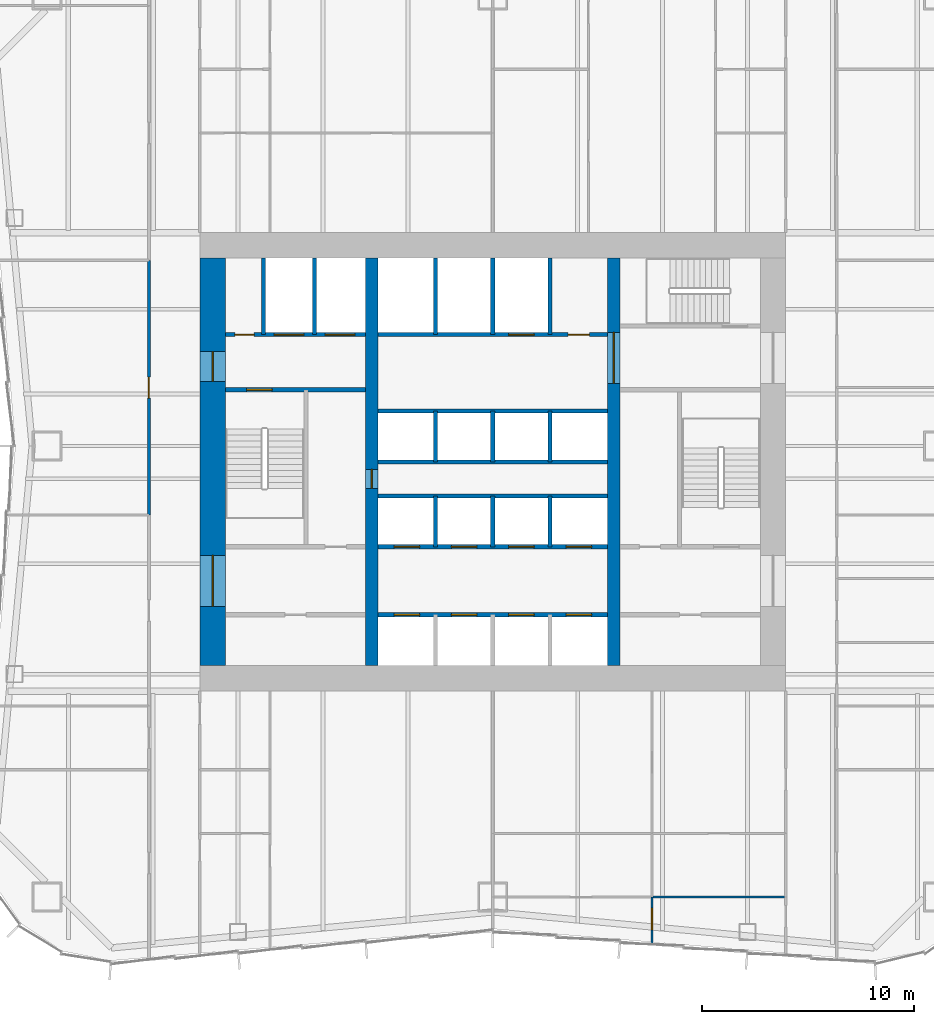
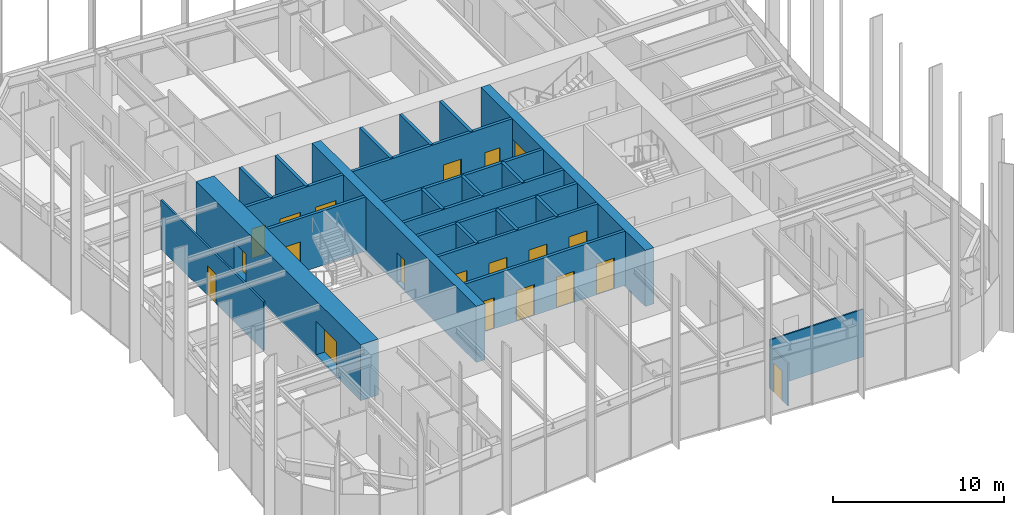
# One storey, part 9 of 13: 25 walls, 20 doors, 20 openings.
"""IFC4 building model written with IfcOpenShell, lengths in metres."""

from ifc_helpers import new_model, si_unit, direction, frame, frame_2d, origin, place, context, subcontext, project, spatial, rectangle, extrude, material, layer, layer_set, type_object, element, fill, save


model = new_model("IFC4")

# Units and contexts
model_context = context("Model", 3, precision=1e-05, world=origin(), true_north=direction((0.0, 1.0)))
body_context = subcontext(model_context, "Body", "Model", "MODEL_VIEW")
ifc_project = project(units=[si_unit("LENGTHUNIT", "METRE"), si_unit("AREAUNIT", "SQUARE_METRE"), si_unit("VOLUMEUNIT", "CUBIC_METRE"), si_unit("PLANEANGLEUNIT", "RADIAN"), si_unit("MASSUNIT", "GRAM", prefix="KILO")], contexts=[model_context])

# Site, building, storey
site_placement = place(None, origin())
site = spatial("IfcSite", under=ifc_project, at=site_placement, CompositionType="ELEMENT")
building_placement = place(site_placement, origin())
building = spatial("IfcBuilding", under=site, at=building_placement, Name="Verdant Reach Tower", CompositionType="ELEMENT")
storey_placement = place(building_placement, frame((0.0, 0.0, 82.0)))
storey = spatial("IfcBuildingStorey", under=building, at=storey_placement, Name="L18", CompositionType="ELEMENT", Elevation=82.0)

# Wall, openings, doors
ifc_material_1 = material(Name="Concrete C40/50", Category="concrete")
ifc_layer_1 = layer(ifc_material_1, 0.199951171875)
ifc_layer_set_1 = layer_set([ifc_layer_1], Name="CO-WALL-SHAFT")
wall_type_1 = type_object("IfcWallType", Name="CO-WALL-SHAFT", PredefinedType="PARTITIONING", material=ifc_layer_set_1)
wall_1_placement = place(storey_placement, frame((-5.39990234375, 20.800048828125, 0.0), z_axis=(0.0, 0.0, 1.0), x_axis=(1.0, 0.0, 0.0)))
wall_1 = element("IfcWall", 1, at=wall_1_placement, inside=storey, type_object=wall_type_1, Name="Lift shaft wall, L18", PredefinedType="PARTITIONING", context=body_context, shape_type="SweptSolid", body=[
    extrude(rectangle(XDim=10.7998046875, YDim=0.199951171875, at=frame_2d((5.39990234375, 0.0))), origin(), (0.0, 0.0, 1.0), 3.8701171875),
])
opening_1_placement = place(wall_1_placement, frame((0.75, 0.0, 0.0)))
opening_1 = element("IfcOpeningElement", 2, at=opening_1_placement, cuts=wall_1, Name="Opening LD-A1", PredefinedType="OPENING", context=body_context, shape_type="SweptSolid", body=[
    extrude(rectangle(XDim=1.199951171875, YDim=2.199951171875, at=frame_2d((0.60009765625, 1.10009765625))), frame((0.0, 0.10986328125, 0.0), z_axis=(0.0, -1.0, 0.0), x_axis=(1.0, 0.0, 0.0)), (0.0, 0.0, 1.0), 0.219970703125),
])
opening_2_placement = place(wall_1_placement, frame((3.449951171875, 0.0, 0.0)))
opening_2 = element("IfcOpeningElement", 3, at=opening_2_placement, cuts=wall_1, Name="Opening LD-A2", PredefinedType="OPENING", context=body_context, shape_type="SweptSolid", body=[
    extrude(rectangle(XDim=1.199951171875, YDim=2.199951171875, at=frame_2d((0.60009765625, 1.10009765625))), frame((0.0, 0.10986328125, 0.0), z_axis=(0.0, -1.0, 0.0), x_axis=(1.0, 0.0, 0.0)), (0.0, 0.0, 1.0), 0.219970703125),
])
opening_3_placement = place(wall_1_placement, frame((6.14990234375, 0.0, 0.0)))
opening_3 = element("IfcOpeningElement", 4, at=opening_3_placement, cuts=wall_1, Name="Opening LD-A3", PredefinedType="OPENING", context=body_context, shape_type="SweptSolid", body=[
    extrude(rectangle(XDim=1.199951171875, YDim=2.199951171875, at=frame_2d((0.60009765625, 1.10009765625))), frame((0.0, 0.10986328125, 0.0), z_axis=(0.0, -1.0, 0.0), x_axis=(1.0, 0.0, 0.0)), (0.0, 0.0, 1.0), 0.219970703125),
])
opening_4_placement = place(wall_1_placement, frame((8.85009765625, 0.0, 0.0)))
opening_4 = element("IfcOpeningElement", 5, at=opening_4_placement, cuts=wall_1, Name="Opening LD-A4", PredefinedType="OPENING", context=body_context, shape_type="SweptSolid", body=[
    extrude(rectangle(XDim=1.199951171875, YDim=2.199951171875, at=frame_2d((0.60009765625, 1.10009765625))), frame((0.0, 0.10986328125, 0.0), z_axis=(0.0, -1.0, 0.0), x_axis=(1.0, 0.0, 0.0)), (0.0, 0.0, 1.0), 0.219970703125),
])
ifc_material_2 = material(Name="Stainless steel", Category="steel")
door_type_1 = type_object("IfcDoorType", Name="CO-DOOR-LANDING", OperationType="SLIDING_TO_LEFT", PredefinedType="DOOR", material=ifc_material_2)
door_1_placement = place(opening_1_placement, origin())
door_1 = element("IfcDoor", 6, at=door_1_placement, inside=storey, type_object=door_type_1, Name="Landing door A1, L18", OperationType="SLIDING_TO_LEFT", OverallHeight=2.199951171875, OverallWidth=1.199951171875, PredefinedType="DOOR", context=body_context, shape_type="SweptSolid", body=[
    extrude(rectangle(XDim=1.199951171875, YDim=2.199951171875, at=frame_2d((0.60009765625, 1.10009765625))), frame((0.0, 0.02490234375, 0.0), z_axis=(0.0, -1.0, 0.0), x_axis=(1.0, 0.0, 0.0)), (0.0, 0.0, 1.0), 0.050048828125),
])
fill(opening_1, door_1)
door_2_placement = place(opening_2_placement, origin())
door_2 = element("IfcDoor", 7, at=door_2_placement, inside=storey, type_object=door_type_1, Name="Landing door A2, L18", OperationType="SLIDING_TO_LEFT", OverallHeight=2.199951171875, OverallWidth=1.199951171875, PredefinedType="DOOR", context=body_context, shape_type="SweptSolid", body=[
    extrude(rectangle(XDim=1.199951171875, YDim=2.199951171875, at=frame_2d((0.60009765625, 1.10009765625))), frame((0.0, 0.02490234375, 0.0), z_axis=(0.0, -1.0, 0.0), x_axis=(1.0, 0.0, 0.0)), (0.0, 0.0, 1.0), 0.050048828125),
])
fill(opening_2, door_2)
door_3_placement = place(opening_3_placement, origin())
door_3 = element("IfcDoor", 8, at=door_3_placement, inside=storey, type_object=door_type_1, Name="Landing door A3, L18", OperationType="SLIDING_TO_LEFT", OverallHeight=2.199951171875, OverallWidth=1.199951171875, PredefinedType="DOOR", context=body_context, shape_type="SweptSolid", body=[
    extrude(rectangle(XDim=1.199951171875, YDim=2.199951171875, at=frame_2d((0.60009765625, 1.10009765625))), frame((0.0, 0.02490234375, 0.0), z_axis=(0.0, -1.0, 0.0), x_axis=(1.0, 0.0, 0.0)), (0.0, 0.0, 1.0), 0.050048828125),
])
fill(opening_3, door_3)
door_4_placement = place(opening_4_placement, origin())
door_4 = element("IfcDoor", 9, at=door_4_placement, inside=storey, type_object=door_type_1, Name="Landing door A4, L18", OperationType="SLIDING_TO_LEFT", OverallHeight=2.199951171875, OverallWidth=1.199951171875, PredefinedType="DOOR", context=body_context, shape_type="SweptSolid", body=[
    extrude(rectangle(XDim=1.199951171875, YDim=2.199951171875, at=frame_2d((0.60009765625, 1.10009765625))), frame((0.0, 0.02490234375, 0.0), z_axis=(0.0, -1.0, 0.0), x_axis=(1.0, 0.0, 0.0)), (0.0, 0.0, 1.0), 0.050048828125),
])
fill(opening_4, door_4)

wall_2_placement = place(storey_placement, frame((-5.39990234375, 24.0, 0.0), z_axis=(0.0, 0.0, 1.0), x_axis=(1.0, 0.0, 0.0)))
wall_2 = element("IfcWall", 10, at=wall_2_placement, inside=storey, type_object=wall_type_1, Name="Lift shaft wall, L18", PredefinedType="PARTITIONING", context=body_context, shape_type="SweptSolid", body=[
    extrude(rectangle(XDim=10.7998046875, YDim=0.199951171875, at=frame_2d((5.39990234375, 0.0))), origin(), (0.0, 0.0, 1.0), 3.8701171875),
])
opening_5_placement = place(wall_2_placement, frame((0.75, 0.0, 0.0)))
opening_5 = element("IfcOpeningElement", 11, at=opening_5_placement, cuts=wall_2, Name="Opening LD-A5", PredefinedType="OPENING", context=body_context, shape_type="SweptSolid", body=[
    extrude(rectangle(XDim=1.199951171875, YDim=2.199951171875, at=frame_2d((0.60009765625, 1.10009765625))), frame((0.0, 0.10986328125, 0.0), z_axis=(0.0, -1.0, 0.0), x_axis=(1.0, 0.0, 0.0)), (0.0, 0.0, 1.0), 0.219970703125),
])
opening_6_placement = place(wall_2_placement, frame((3.449951171875, 0.0, 0.0)))
opening_6 = element("IfcOpeningElement", 12, at=opening_6_placement, cuts=wall_2, Name="Opening LD-A6", PredefinedType="OPENING", context=body_context, shape_type="SweptSolid", body=[
    extrude(rectangle(XDim=1.199951171875, YDim=2.199951171875, at=frame_2d((0.60009765625, 1.10009765625))), frame((0.0, 0.10986328125, 0.0), z_axis=(0.0, -1.0, 0.0), x_axis=(1.0, 0.0, 0.0)), (0.0, 0.0, 1.0), 0.219970703125),
])
opening_7_placement = place(wall_2_placement, frame((6.14990234375, 0.0, 0.0)))
opening_7 = element("IfcOpeningElement", 13, at=opening_7_placement, cuts=wall_2, Name="Opening LD-A7", PredefinedType="OPENING", context=body_context, shape_type="SweptSolid", body=[
    extrude(rectangle(XDim=1.199951171875, YDim=2.199951171875, at=frame_2d((0.60009765625, 1.10009765625))), frame((0.0, 0.10986328125, 0.0), z_axis=(0.0, -1.0, 0.0), x_axis=(1.0, 0.0, 0.0)), (0.0, 0.0, 1.0), 0.219970703125),
])
opening_8_placement = place(wall_2_placement, frame((8.85009765625, 0.0, 0.0)))
opening_8 = element("IfcOpeningElement", 14, at=opening_8_placement, cuts=wall_2, Name="Opening LD-A8", PredefinedType="OPENING", context=body_context, shape_type="SweptSolid", body=[
    extrude(rectangle(XDim=1.199951171875, YDim=2.199951171875, at=frame_2d((0.60009765625, 1.10009765625))), frame((0.0, 0.10986328125, 0.0), z_axis=(0.0, -1.0, 0.0), x_axis=(1.0, 0.0, 0.0)), (0.0, 0.0, 1.0), 0.219970703125),
])
door_5_placement = place(opening_5_placement, origin())
door_5 = element("IfcDoor", 15, at=door_5_placement, inside=storey, type_object=door_type_1, Name="Landing door A5, L18", OperationType="SLIDING_TO_LEFT", OverallHeight=2.199951171875, OverallWidth=1.199951171875, PredefinedType="DOOR", context=body_context, shape_type="SweptSolid", body=[
    extrude(rectangle(XDim=1.199951171875, YDim=2.199951171875, at=frame_2d((0.60009765625, 1.10009765625))), frame((0.0, 0.02490234375, 0.0), z_axis=(0.0, -1.0, 0.0), x_axis=(1.0, 0.0, 0.0)), (0.0, 0.0, 1.0), 0.050048828125),
])
fill(opening_5, door_5)
door_6_placement = place(opening_6_placement, origin())
door_6 = element("IfcDoor", 16, at=door_6_placement, inside=storey, type_object=door_type_1, Name="Landing door A6, L18", OperationType="SLIDING_TO_LEFT", OverallHeight=2.199951171875, OverallWidth=1.199951171875, PredefinedType="DOOR", context=body_context, shape_type="SweptSolid", body=[
    extrude(rectangle(XDim=1.199951171875, YDim=2.199951171875, at=frame_2d((0.60009765625, 1.10009765625))), frame((0.0, 0.02490234375, 0.0), z_axis=(0.0, -1.0, 0.0), x_axis=(1.0, 0.0, 0.0)), (0.0, 0.0, 1.0), 0.050048828125),
])
fill(opening_6, door_6)
door_7_placement = place(opening_7_placement, origin())
door_7 = element("IfcDoor", 17, at=door_7_placement, inside=storey, type_object=door_type_1, Name="Landing door A7, L18", OperationType="SLIDING_TO_LEFT", OverallHeight=2.199951171875, OverallWidth=1.199951171875, PredefinedType="DOOR", context=body_context, shape_type="SweptSolid", body=[
    extrude(rectangle(XDim=1.199951171875, YDim=2.199951171875, at=frame_2d((0.60009765625, 1.10009765625))), frame((0.0, 0.02490234375, 0.0), z_axis=(0.0, -1.0, 0.0), x_axis=(1.0, 0.0, 0.0)), (0.0, 0.0, 1.0), 0.050048828125),
])
fill(opening_7, door_7)
door_8_placement = place(opening_8_placement, origin())
door_8 = element("IfcDoor", 18, at=door_8_placement, inside=storey, type_object=door_type_1, Name="Landing door A8, L18", OperationType="SLIDING_TO_LEFT", OverallHeight=2.199951171875, OverallWidth=1.199951171875, PredefinedType="DOOR", context=body_context, shape_type="SweptSolid", body=[
    extrude(rectangle(XDim=1.199951171875, YDim=2.199951171875, at=frame_2d((0.60009765625, 1.10009765625))), frame((0.0, 0.02490234375, 0.0), z_axis=(0.0, -1.0, 0.0), x_axis=(1.0, 0.0, 0.0)), (0.0, 0.0, 1.0), 0.050048828125),
])
fill(opening_8, door_8)

# Walls
for number, where, z_axis, x_axis, name in (
    (19, (-5.39990234375, 26.39990234375, 0.0), (0.0, 0.0, 1.0), (1.0, 0.0, 0.0), "Lift shaft wall, L18"),
    (20, (-5.39990234375, 28.0, 0.0), (0.0, 0.0, 1.0), (1.0, 0.0, 0.0), "Lift shaft wall, L18"),
    (21, (-5.39990234375, 30.39990234375, 0.0), (0.0, 0.0, 1.0), (1.0, 0.0, 0.0), "Lift shaft wall, L18"),
):
    element("IfcWall", number, at=place(storey_placement, frame(where, z_axis=z_axis, x_axis=x_axis)), inside=storey, type_object=wall_type_1, Name=name, PredefinedType="PARTITIONING", context=body_context, shape_type="SweptSolid", body=[
        extrude(rectangle(XDim=10.7998046875, YDim=0.199951171875, at=frame_2d((5.39990234375, 0.0))), origin(), (0.0, 0.0, 1.0), 3.8701171875),
    ])

# Wall, openings, doors
wall_3_placement = place(storey_placement, frame((-12.60009765625, 34.0, 0.0), z_axis=(0.0, 0.0, 1.0), x_axis=(1.0, 0.0, 0.0)))
wall_3 = element("IfcWall", 22, at=wall_3_placement, inside=storey, type_object=wall_type_1, Name="Lift shaft wall, L18", PredefinedType="PARTITIONING", context=body_context, shape_type="SweptSolid", body=[
    extrude(rectangle(XDim=6.60009765625, YDim=0.199951171875, at=frame_2d((3.300048828125, 0.0))), origin(), (0.0, 0.0, 1.0), 3.8701171875),
])
opening_9_placement = place(wall_3_placement, frame((4.699951171875, 0.0, 0.0)))
opening_9 = element("IfcOpeningElement", 23, at=opening_9_placement, cuts=wall_3, Name="Opening LD-F1", PredefinedType="OPENING", context=body_context, shape_type="SweptSolid", body=[
    extrude(rectangle(XDim=1.39990234375, YDim=2.199951171875, at=frame_2d((0.699951171875, 1.10009765625))), frame((0.0, 0.10986328125, 0.0), z_axis=(0.0, -1.0, 0.0), x_axis=(1.0, 0.0, 0.0)), (0.0, 0.0, 1.0), 0.219970703125),
])
opening_10_placement = place(wall_3_placement, frame((2.300048828125, 0.0, 0.0)))
opening_10 = element("IfcOpeningElement", 24, at=opening_10_placement, cuts=wall_3, Name="Opening LD-F2", PredefinedType="OPENING", context=body_context, shape_type="SweptSolid", body=[
    extrude(rectangle(XDim=1.39990234375, YDim=2.199951171875, at=frame_2d((0.699951171875, 1.10009765625))), frame((0.0, 0.10986328125, 0.0), z_axis=(0.0, -1.0, 0.0), x_axis=(1.0, 0.0, 0.0)), (0.0, 0.0, 1.0), 0.219970703125),
])
opening_11_placement = place(wall_3_placement, frame((0.449951171875, 0.0, 0.0)))
opening_11 = element("IfcOpeningElement", 25, at=opening_11_placement, cuts=wall_3, Name="Opening RD", PredefinedType="OPENING", context=body_context, shape_type="SweptSolid", body=[
    extrude(rectangle(XDim=0.89990234375, YDim=2.10009765625, at=frame_2d((0.449951171875, 1.050048828125))), frame((0.0, 0.10986328125, 0.0), z_axis=(0.0, -1.0, 0.0), x_axis=(1.0, 0.0, 0.0)), (0.0, 0.0, 1.0), 0.219970703125),
])
door_type_2 = type_object("IfcDoorType", Name="CO-DOOR-LANDING-FF", OperationType="SLIDING_TO_LEFT", PredefinedType="DOOR", material=ifc_material_2)
door_9_placement = place(opening_9_placement, origin())
door_9 = element("IfcDoor", 26, at=door_9_placement, inside=storey, type_object=door_type_2, Name="Landing door F1, L18", OperationType="SLIDING_TO_LEFT", OverallHeight=2.199951171875, OverallWidth=1.39990234375, PredefinedType="DOOR", context=body_context, shape_type="SweptSolid", body=[
    extrude(rectangle(XDim=1.39990234375, YDim=2.199951171875, at=frame_2d((0.699951171875, 1.10009765625))), frame((0.0, 0.02490234375, 0.0), z_axis=(0.0, -1.0, 0.0), x_axis=(1.0, 0.0, 0.0)), (0.0, 0.0, 1.0), 0.050048828125),
])
fill(opening_9, door_9)
door_10_placement = place(opening_10_placement, origin())
door_10 = element("IfcDoor", 27, at=door_10_placement, inside=storey, type_object=door_type_2, Name="Landing door F2, L18", OperationType="SLIDING_TO_LEFT", OverallHeight=2.199951171875, OverallWidth=1.39990234375, PredefinedType="DOOR", context=body_context, shape_type="SweptSolid", body=[
    extrude(rectangle(XDim=1.39990234375, YDim=2.199951171875, at=frame_2d((0.699951171875, 1.10009765625))), frame((0.0, 0.02490234375, 0.0), z_axis=(0.0, -1.0, 0.0), x_axis=(1.0, 0.0, 0.0)), (0.0, 0.0, 1.0), 0.050048828125),
])
fill(opening_10, door_10)
ifc_material_3 = material(Name="Steel", Category="steel")
door_type_3 = type_object("IfcDoorType", Name="CO-DOOR-RISER", OperationType="NOTDEFINED", PredefinedType="DOOR", material=ifc_material_3)
door_11_placement = place(opening_11_placement, origin())
door_11 = element("IfcDoor", 28, at=door_11_placement, inside=storey, type_object=door_type_3, Name="Core room door, L18", OperationType="SINGLE_SWING_RIGHT", OverallHeight=2.10009765625, OverallWidth=0.89990234375, PredefinedType="DOOR", context=body_context, shape_type="SweptSolid", body=[
    extrude(rectangle(XDim=0.89990234375, YDim=2.10009765625, at=frame_2d((0.449951171875, 1.050048828125))), frame((0.0, 0.02490234375, 0.0), z_axis=(0.0, -1.0, 0.0), x_axis=(1.0, 0.0, 0.0)), (0.0, 0.0, 1.0), 0.050048828125),
])
fill(opening_11, door_11)

wall_4_placement = place(storey_placement, frame((-5.39990234375, 34.0, 0.0), z_axis=(0.0, 0.0, 1.0), x_axis=(1.0, 0.0, 0.0)))
wall_4 = element("IfcWall", 29, at=wall_4_placement, inside=storey, type_object=wall_type_1, Name="Lift shaft wall, L18", PredefinedType="PARTITIONING", context=body_context, shape_type="SweptSolid", body=[
    extrude(rectangle(XDim=10.7998046875, YDim=0.199951171875, at=frame_2d((5.39990234375, 0.0))), origin(), (0.0, 0.0, 1.0), 3.8701171875),
])
opening_12_placement = place(wall_4_placement, frame((6.14990234375, 0.0, 0.0)))
opening_12 = element("IfcOpeningElement", 30, at=opening_12_placement, cuts=wall_4, Name="Opening LD-SL1", PredefinedType="OPENING", context=body_context, shape_type="SweptSolid", body=[
    extrude(rectangle(XDim=1.199951171875, YDim=2.199951171875, at=frame_2d((0.60009765625, 1.10009765625))), frame((0.0, 0.10986328125, 0.0), z_axis=(0.0, -1.0, 0.0), x_axis=(1.0, 0.0, 0.0)), (0.0, 0.0, 1.0), 0.219970703125),
])
opening_13_placement = place(wall_4_placement, frame((8.949951171875, 0.0, 0.0)))
opening_13 = element("IfcOpeningElement", 31, at=opening_13_placement, cuts=wall_4, Name="Opening CD", PredefinedType="OPENING", context=body_context, shape_type="SweptSolid", body=[
    extrude(rectangle(XDim=1.0, YDim=2.10009765625, at=frame_2d((0.5, 1.050048828125))), frame((0.0, 0.10986328125, 0.0), z_axis=(0.0, -1.0, 0.0), x_axis=(1.0, 0.0, 0.0)), (0.0, 0.0, 1.0), 0.219970703125),
])
door_12_placement = place(opening_12_placement, origin())
door_12 = element("IfcDoor", 32, at=door_12_placement, inside=storey, type_object=door_type_1, Name="Landing door SL1, L18", OperationType="SLIDING_TO_LEFT", OverallHeight=2.199951171875, OverallWidth=1.199951171875, PredefinedType="DOOR", context=body_context, shape_type="SweptSolid", body=[
    extrude(rectangle(XDim=1.199951171875, YDim=2.199951171875, at=frame_2d((0.60009765625, 1.10009765625))), frame((0.0, 0.02490234375, 0.0), z_axis=(0.0, -1.0, 0.0), x_axis=(1.0, 0.0, 0.0)), (0.0, 0.0, 1.0), 0.050048828125),
])
fill(opening_12, door_12)
ifc_material_4 = material(Name="Timber", Category="wood")
door_type_4 = type_object("IfcDoorType", Name="CO-DOOR-ROOM", OperationType="NOTDEFINED", PredefinedType="DOOR", material=ifc_material_4)
door_13_placement = place(opening_13_placement, origin())
door_13 = element("IfcDoor", 33, at=door_13_placement, inside=storey, type_object=door_type_4, Name="Core room door, L18", OperationType="SINGLE_SWING_LEFT", OverallHeight=2.10009765625, OverallWidth=1.0, PredefinedType="DOOR", context=body_context, shape_type="SweptSolid", body=[
    extrude(rectangle(XDim=1.0, YDim=2.10009765625, at=frame_2d((0.5, 1.050048828125))), frame((0.0, 0.02490234375, 0.0), z_axis=(0.0, -1.0, 0.0), x_axis=(1.0, 0.0, 0.0)), (0.0, 0.0, 1.0), 0.050048828125),
])
fill(opening_13, door_13)

# Walls
for number, where, z_axis, x_axis, name in (
    (34, (-10.800048828125, 34.0, 0.0), (0.0, 0.0, 1.0), (0.0, 1.0, 0.0), "Lift shaft wall, L18"),
    (35, (-8.39990234375, 34.0, 0.0), (0.0, 0.0, 1.0), (0.0, 1.0, 0.0), "Lift shaft wall, L18"),
):
    element("IfcWall", number, at=place(storey_placement, frame(where, z_axis=z_axis, x_axis=x_axis)), inside=storey, type_object=wall_type_1, Name=name, PredefinedType="PARTITIONING", context=body_context, shape_type="SweptSolid", body=[
        extrude(rectangle(XDim=3.60009765625, YDim=0.199951171875, at=frame_2d((1.800048828125, 0.0))), origin(), (0.0, 0.0, 1.0), 3.8701171875),
    ])
for number, where, z_axis, x_axis, name in (
    (36, (-2.699951171875, 24.0, 0.0), (0.0, 0.0, 1.0), (0.0, 1.0, 0.0), "Lift shaft wall, L18"),
    (37, (-2.699951171875, 28.0, 0.0), (0.0, 0.0, 1.0), (0.0, 1.0, 0.0), "Lift shaft wall, L18"),
):
    element("IfcWall", number, at=place(storey_placement, frame(where, z_axis=z_axis, x_axis=x_axis)), inside=storey, type_object=wall_type_1, Name=name, PredefinedType="PARTITIONING", context=body_context, shape_type="SweptSolid", body=[
        extrude(rectangle(XDim=2.39990234375, YDim=0.199951171875, at=frame_2d((1.199951171875, 0.0))), origin(), (0.0, 0.0, 1.0), 3.8701171875),
    ])
wall_5_placement = place(storey_placement, frame((-2.699951171875, 34.0, 0.0), z_axis=(0.0, 0.0, 1.0), x_axis=(0.0, 1.0, 0.0)))
element("IfcWall", 38, at=wall_5_placement, inside=storey, type_object=wall_type_1, Name="Lift shaft wall, L18", PredefinedType="PARTITIONING", context=body_context, shape_type="SweptSolid", body=[
    extrude(rectangle(XDim=3.60009765625, YDim=0.199951171875, at=frame_2d((1.800048828125, 0.0))), origin(), (0.0, 0.0, 1.0), 3.8701171875),
])
for number, where, z_axis, x_axis, name in (
    (39, (0.0, 24.0, 0.0), (0.0, 0.0, 1.0), (0.0, 1.0, 0.0), "Lift shaft wall, L18"),
    (40, (0.0, 28.0, 0.0), (0.0, 0.0, 1.0), (0.0, 1.0, 0.0), "Lift shaft wall, L18"),
):
    element("IfcWall", number, at=place(storey_placement, frame(where, z_axis=z_axis, x_axis=x_axis)), inside=storey, type_object=wall_type_1, Name=name, PredefinedType="PARTITIONING", context=body_context, shape_type="SweptSolid", body=[
        extrude(rectangle(XDim=2.39990234375, YDim=0.199951171875, at=frame_2d((1.199951171875, 0.0))), origin(), (0.0, 0.0, 1.0), 3.8701171875),
    ])
wall_6_placement = place(storey_placement, frame((0.0, 34.0, 0.0), z_axis=(0.0, 0.0, 1.0), x_axis=(0.0, 1.0, 0.0)))
element("IfcWall", 41, at=wall_6_placement, inside=storey, type_object=wall_type_1, Name="Lift shaft wall, L18", PredefinedType="PARTITIONING", context=body_context, shape_type="SweptSolid", body=[
    extrude(rectangle(XDim=3.60009765625, YDim=0.199951171875, at=frame_2d((1.800048828125, 0.0))), origin(), (0.0, 0.0, 1.0), 3.8701171875),
])
for number, where, z_axis, x_axis, name in (
    (42, (2.699951171875, 24.0, 0.0), (0.0, 0.0, 1.0), (0.0, 1.0, 0.0), "Lift shaft wall, L18"),
    (43, (2.699951171875, 28.0, 0.0), (0.0, 0.0, 1.0), (0.0, 1.0, 0.0), "Lift shaft wall, L18"),
):
    element("IfcWall", number, at=place(storey_placement, frame(where, z_axis=z_axis, x_axis=x_axis)), inside=storey, type_object=wall_type_1, Name=name, PredefinedType="PARTITIONING", context=body_context, shape_type="SweptSolid", body=[
        extrude(rectangle(XDim=2.39990234375, YDim=0.199951171875, at=frame_2d((1.199951171875, 0.0))), origin(), (0.0, 0.0, 1.0), 3.8701171875),
    ])
wall_7_placement = place(storey_placement, frame((2.699951171875, 34.0, 0.0), z_axis=(0.0, 0.0, 1.0), x_axis=(0.0, 1.0, 0.0)))
element("IfcWall", 44, at=wall_7_placement, inside=storey, type_object=wall_type_1, Name="Lift shaft wall, L18", PredefinedType="PARTITIONING", context=body_context, shape_type="SweptSolid", body=[
    extrude(rectangle(XDim=3.60009765625, YDim=0.199951171875, at=frame_2d((1.800048828125, 0.0))), origin(), (0.0, 0.0, 1.0), 3.8701171875),
])

# Wall, opening, door
ifc_layer_2 = layer(ifc_material_1, 0.199951171875)
ifc_layer_set_2 = layer_set([ifc_layer_2], Name="CO-WALL-STAIR")
wall_type_2 = type_object("IfcWallType", Name="CO-WALL-STAIR", PredefinedType="PARTITIONING", material=ifc_layer_set_2)
wall_8_placement = place(storey_placement, frame((-12.60009765625, 31.39990234375, 0.0), z_axis=(0.0, 0.0, 1.0), x_axis=(1.0, 0.0, 0.0)))
wall_8 = element("IfcWall", 45, at=wall_8_placement, inside=storey, type_object=wall_type_2, Name="Stair enclosure wall, L18", PredefinedType="PARTITIONING", context=body_context, shape_type="SweptSolid", body=[
    extrude(rectangle(XDim=6.60009765625, YDim=0.199951171875, at=frame_2d((3.300048828125, 0.0))), origin(), (0.0, 0.0, 1.0), 3.8701171875),
])
opening_14_placement = place(wall_8_placement, frame((1.0, 0.0, 0.0)))
opening_14 = element("IfcOpeningElement", 46, at=opening_14_placement, cuts=wall_8, Name="Opening SD", PredefinedType="OPENING", context=body_context, shape_type="SweptSolid", body=[
    extrude(rectangle(XDim=1.199951171875, YDim=2.199951171875, at=frame_2d((0.60009765625, 1.10009765625))), frame((0.0, 0.10986328125, 0.0), z_axis=(0.0, -1.0, 0.0), x_axis=(1.0, 0.0, 0.0)), (0.0, 0.0, 1.0), 0.219970703125),
])
door_type_5 = type_object("IfcDoorType", Name="CO-DOOR-STAIR", OperationType="NOTDEFINED", PredefinedType="DOOR", material=ifc_material_3)
door_14_placement = place(opening_14_placement, origin())
door_14 = element("IfcDoor", 47, at=door_14_placement, inside=storey, type_object=door_type_5, Name="Stair door, L18", OperationType="SINGLE_SWING_RIGHT", OverallHeight=2.199951171875, OverallWidth=1.199951171875, PredefinedType="DOOR", context=body_context, shape_type="SweptSolid", body=[
    extrude(rectangle(XDim=1.199951171875, YDim=2.199951171875, at=frame_2d((0.60009765625, 1.10009765625))), frame((0.0, 0.02490234375, 0.0), z_axis=(0.0, -1.0, 0.0), x_axis=(1.0, 0.0, 0.0)), (0.0, 0.0, 1.0), 0.050048828125),
])
fill(opening_14, door_14)

# Wall
ifc_material_5 = material(Name="Gypsum board on steel studs", Category="steel")
ifc_layer_3 = layer(ifc_material_5, 0.10009765625)
ifc_layer_set_3 = layer_set([ifc_layer_3], Name="FL-W1 Partition 100")
wall_type_3 = type_object("IfcWallType", Name="FL-W1 Partition 100", PredefinedType="PARTITIONING", material=ifc_layer_set_3)
wall_9_placement = place(storey_placement, frame((13.800048828125, 7.5, 0.0), z_axis=(0.0, 0.0, 1.0), x_axis=(-1.0, 0.0, 0.0)))
element("IfcWall", 48, at=wall_9_placement, inside=storey, type_object=wall_type_3, Name="Partition 18.49", PredefinedType="PARTITIONING", context=body_context, shape_type="SweptSolid", body=[
    extrude(rectangle(XDim=6.300048828125, YDim=0.10009765625, at=frame_2d((3.14990234375, 0.0))), origin(), (0.0, 0.0, 1.0), 3.389892578125),
])

# Wall, opening, door
wall_10_placement = place(storey_placement, frame((7.5, 5.294921875, 0.0), z_axis=(0.0, 0.0, 1.0), x_axis=(0.0, 1.0, 0.0)))
wall_10 = element("IfcWall", 49, at=wall_10_placement, inside=storey, type_object=wall_type_3, Name="Partition 18.50", PredefinedType="PARTITIONING", context=body_context, shape_type="SweptSolid", body=[
    extrude(rectangle(XDim=2.205078125, YDim=0.10009765625, at=frame_2d((1.1025390625, 0.0))), origin(), (0.0, 0.0, 1.0), 3.0400390625),
])
opening_15_placement = place(wall_10_placement, frame((0.66748046875, 0.0, 0.0)))
opening_15 = element("IfcOpeningElement", 50, at=opening_15_placement, cuts=wall_10, Name="Opening D3", PredefinedType="OPENING", context=body_context, shape_type="SweptSolid", body=[
    extrude(rectangle(XDim=1.0, YDim=2.10009765625, at=frame_2d((0.5, 1.050048828125))), frame((0.0, 0.06005859375, 0.0), z_axis=(0.0, -1.0, 0.0), x_axis=(1.0, 0.0, 0.0)), (0.0, 0.0, 1.0), 0.1201171875),
])
ifc_material_6 = material(Name="Painted timber door leaf", Category="wood")
door_type_6 = type_object("IfcDoorType", Name="FL-D3 Door 1000x2100", OperationType="NOTDEFINED", PredefinedType="DOOR", material=ifc_material_6)
door_15_placement = place(opening_15_placement, origin())
door_15 = element("IfcDoor", 51, at=door_15_placement, inside=storey, type_object=door_type_6, Name="Door 18-025", OperationType="SINGLE_SWING_RIGHT", OverallHeight=2.10009765625, OverallWidth=1.0, PredefinedType="DOOR", context=body_context, shape_type="SweptSolid", body=[
    extrude(rectangle(XDim=1.0, YDim=2.10009765625, at=frame_2d((0.5, 1.050048828125))), frame((0.0, 0.02490234375, 0.0), z_axis=(0.0, -1.0, 0.0), x_axis=(1.0, 0.0, 0.0)), (0.0, 0.0, 1.0), 0.050048828125),
])
fill(opening_15, door_15)

ifc_material_7 = material(Name="Gypsum board on steel studs, fire rated", Category="steel")
ifc_layer_4 = layer(ifc_material_7, 0.125)
ifc_layer_set_4 = layer_set([ifc_layer_4], Name="FL-W2 Corridor wall 125")
wall_type_4 = type_object("IfcWallType", Name="FL-W2 Corridor wall 125", PredefinedType="PARTITIONING", material=ifc_layer_set_4)
wall_11_placement = place(storey_placement, frame((-16.199951171875, 25.5, 0.0), z_axis=(0.0, 0.0, 1.0), x_axis=(0.0, 1.0, 0.0)))
wall_11 = element("IfcWall", 52, at=wall_11_placement, inside=storey, type_object=wall_type_4, Name="Partition 18.04", PredefinedType="PARTITIONING", context=body_context, shape_type="SweptSolid", body=[
    extrude(rectangle(XDim=12.0, YDim=0.125, at=frame_2d((6.0, 0.0))), origin(), (0.0, 0.0, 1.0), 3.47998046875),
])
opening_16_placement = place(wall_11_placement, frame((5.5, 0.0, 0.0)))
opening_16 = element("IfcOpeningElement", 53, at=opening_16_placement, cuts=wall_11, Name="Opening D2", PredefinedType="OPENING", context=body_context, shape_type="SweptSolid", body=[
    extrude(rectangle(XDim=1.0, YDim=2.10009765625, at=frame_2d((0.5, 1.050048828125))), frame((0.0, 0.072509765625, 0.0), z_axis=(0.0, -1.0, 0.0), x_axis=(1.0, 0.0, 0.0)), (0.0, 0.0, 1.0), 0.14501953125),
])
ifc_material_8 = material(Name="Timber door leaf, fire rated", Category="wood")
door_type_7 = type_object("IfcDoorType", Name="FL-D2 Entrance door 1000x2100 FD30", OperationType="NOTDEFINED", PredefinedType="DOOR", material=ifc_material_8)
door_16_placement = place(opening_16_placement, origin())
door_16 = element("IfcDoor", 54, at=door_16_placement, inside=storey, type_object=door_type_7, Name="Door 18-004", OperationType="SINGLE_SWING_RIGHT", OverallHeight=2.10009765625, OverallWidth=1.0, PredefinedType="DOOR", context=body_context, shape_type="SweptSolid", body=[
    extrude(rectangle(XDim=1.0, YDim=2.10009765625, at=frame_2d((0.5, 1.050048828125))), frame((0.0, 0.02490234375, 0.0), z_axis=(0.0, -1.0, 0.0), x_axis=(1.0, 0.0, 0.0)), (0.0, 0.0, 1.0), 0.050048828125),
])
fill(opening_16, door_16)

# Wall, openings, doors
ifc_material_9 = material(Name="Concrete C70/85", Category="concrete")
ifc_layer_5 = layer(ifc_material_9, 1.199951171875)
ifc_layer_set_5 = layer_set([ifc_layer_5], Name="ST-CORE-WALL-1200")
wall_type_5 = type_object("IfcWallType", Name="ST-CORE-WALL-1200", PredefinedType="SHEAR", material=ifc_layer_set_5)
wall_12_placement = place(storey_placement, frame((-13.199951171875, 18.39990234375, -0.1298828125), z_axis=(0.0, 0.0, 1.0), x_axis=(0.0, 1.0, 0.0)))
wall_12 = element("IfcWall", 55, at=wall_12_placement, inside=storey, type_object=wall_type_5, Name="Core wall W, L18", PredefinedType="SHEAR", context=body_context, shape_type="SweptSolid", body=[
    extrude(rectangle(XDim=19.2001953125, YDim=1.199951171875, at=frame_2d((9.60009765625, 0.0))), origin(), (0.0, 0.0, 1.0), 4.0),
])
opening_17_placement = place(wall_12_placement, frame((2.800048828125, 0.0, 0.1298828125)))
opening_17 = element("IfcOpeningElement", 56, at=opening_17_placement, cuts=wall_12, Name="Opening LB", PredefinedType="OPENING", context=body_context, shape_type="SweptSolid", body=[
    extrude(rectangle(XDim=2.39990234375, YDim=2.39990234375, at=frame_2d((1.199951171875, 1.199951171875))), frame((0.0, 0.60986328125, 0.0), z_axis=(0.0, -1.0, 0.0), x_axis=(1.0, 0.0, 0.0)), (0.0, 0.0, 1.0), 1.219970703125),
])
opening_18_placement = place(wall_12_placement, frame((13.39990234375, 0.0, 0.1298828125)))
opening_18 = element("IfcOpeningElement", 57, at=opening_18_placement, cuts=wall_12, Name="Opening FL", PredefinedType="OPENING", context=body_context, shape_type="SweptSolid", body=[
    extrude(rectangle(XDim=1.39990234375, YDim=2.199951171875, at=frame_2d((0.699951171875, 1.10009765625))), frame((0.0, 0.60986328125, 0.0), z_axis=(0.0, -1.0, 0.0), x_axis=(1.0, 0.0, 0.0)), (0.0, 0.0, 1.0), 1.219970703125),
])
door_type_8 = type_object("IfcDoorType", Name="CO-DOOR-FFL", OperationType="NOTDEFINED", PredefinedType="DOOR", material=ifc_material_3)
door_17_placement = place(opening_18_placement, origin())
door_17 = element("IfcDoor", 58, at=door_17_placement, inside=storey, type_object=door_type_8, Name="Core entrance door, L18", OperationType="SINGLE_SWING_RIGHT", OverallHeight=2.199951171875, OverallWidth=1.39990234375, PredefinedType="DOOR", context=body_context, shape_type="SweptSolid", body=[
    extrude(rectangle(XDim=1.39990234375, YDim=2.199951171875, at=frame_2d((0.699951171875, 1.10009765625))), frame((0.0, 0.02490234375, 0.0), z_axis=(0.0, -1.0, 0.0), x_axis=(1.0, 0.0, 0.0)), (0.0, 0.0, 1.0), 0.050048828125),
])
fill(opening_18, door_17)
ifc_material_10 = material(Name="Glass and steel", Category="steel")
door_type_9 = type_object("IfcDoorType", Name="CO-DOOR-LOBBY", OperationType="DOUBLE_DOOR_SINGLE_SWING", PredefinedType="DOOR", material=ifc_material_10)
door_18_placement = place(opening_17_placement, origin())
door_18 = element("IfcDoor", 59, at=door_18_placement, inside=storey, type_object=door_type_9, Name="Core entrance door, L18", OperationType="DOUBLE_DOOR_SINGLE_SWING", OverallHeight=2.39990234375, OverallWidth=2.39990234375, PredefinedType="DOOR", context=body_context, shape_type="SweptSolid", body=[
    extrude(rectangle(XDim=2.39990234375, YDim=2.39990234375, at=frame_2d((1.199951171875, 1.199951171875))), frame((0.0, 0.02490234375, 0.0), z_axis=(0.0, -1.0, 0.0), x_axis=(1.0, 0.0, 0.0)), (0.0, 0.0, 1.0), 0.050048828125),
])
fill(opening_17, door_18)

# Wall, opening, door
ifc_layer_6 = layer(ifc_material_9, 0.60009765625)
ifc_layer_set_6 = layer_set([ifc_layer_6], Name="ST-CORE-WALL-600")
wall_type_6 = type_object("IfcWallType", Name="ST-CORE-WALL-600", PredefinedType="SHEAR", material=ifc_layer_set_6)
wall_13_placement = place(storey_placement, frame((-5.699951171875, 18.39990234375, -0.1298828125), z_axis=(0.0, 0.0, 1.0), x_axis=(0.0, 1.0, 0.0)))
wall_13 = element("IfcWall", 60, at=wall_13_placement, inside=storey, type_object=wall_type_6, Name="Core wall XW, L18", PredefinedType="SHEAR", context=body_context, shape_type="SweptSolid", body=[
    extrude(rectangle(XDim=19.2001953125, YDim=0.60009765625, at=frame_2d((9.60009765625, 0.0))), origin(), (0.0, 0.0, 1.0), 4.0),
])
opening_19_placement = place(wall_13_placement, frame((8.35009765625, 0.0, 0.1298828125)))
opening_19 = element("IfcOpeningElement", 61, at=opening_19_placement, cuts=wall_13, Name="Opening RD", PredefinedType="OPENING", context=body_context, shape_type="SweptSolid", body=[
    extrude(rectangle(XDim=0.89990234375, YDim=2.10009765625, at=frame_2d((0.449951171875, 1.050048828125))), frame((0.0, 0.31005859375, 0.0), z_axis=(0.0, -1.0, 0.0), x_axis=(1.0, 0.0, 0.0)), (0.0, 0.0, 1.0), 0.6201171875),
])
door_19_placement = place(opening_19_placement, origin())
door_19 = element("IfcDoor", 62, at=door_19_placement, inside=storey, type_object=door_type_3, Name="Riser door, L18", OperationType="SINGLE_SWING_RIGHT", OverallHeight=2.10009765625, OverallWidth=0.89990234375, PredefinedType="DOOR", context=body_context, shape_type="SweptSolid", body=[
    extrude(rectangle(XDim=0.89990234375, YDim=2.10009765625, at=frame_2d((0.449951171875, 1.050048828125))), frame((0.0, 0.02490234375, 0.0), z_axis=(0.0, -1.0, 0.0), x_axis=(1.0, 0.0, 0.0)), (0.0, 0.0, 1.0), 0.050048828125),
])
fill(opening_19, door_19)

wall_14_placement = place(storey_placement, frame((5.699951171875, 18.39990234375, -0.1298828125), z_axis=(0.0, 0.0, 1.0), x_axis=(0.0, 1.0, 0.0)))
wall_14 = element("IfcWall", 63, at=wall_14_placement, inside=storey, type_object=wall_type_6, Name="Core wall XE, L18", PredefinedType="SHEAR", context=body_context, shape_type="SweptSolid", body=[
    extrude(rectangle(XDim=19.2001953125, YDim=0.60009765625, at=frame_2d((9.60009765625, 0.0))), origin(), (0.0, 0.0, 1.0), 4.0),
])
opening_20_placement = place(wall_14_placement, frame((13.300048828125, 0.0, 0.1298828125)))
opening_20 = element("IfcOpeningElement", 64, at=opening_20_placement, cuts=wall_14, Name="Opening LB", PredefinedType="OPENING", context=body_context, shape_type="SweptSolid", body=[
    extrude(rectangle(XDim=2.39990234375, YDim=2.39990234375, at=frame_2d((1.199951171875, 1.199951171875))), frame((0.0, 0.31005859375, 0.0), z_axis=(0.0, -1.0, 0.0), x_axis=(1.0, 0.0, 0.0)), (0.0, 0.0, 1.0), 0.6201171875),
])
door_20_placement = place(opening_20_placement, origin())
door_20 = element("IfcDoor", 65, at=door_20_placement, inside=storey, type_object=door_type_9, Name="Core entrance door, L18", OperationType="DOUBLE_DOOR_SINGLE_SWING", OverallHeight=2.39990234375, OverallWidth=2.39990234375, PredefinedType="DOOR", context=body_context, shape_type="SweptSolid", body=[
    extrude(rectangle(XDim=2.39990234375, YDim=2.39990234375, at=frame_2d((1.199951171875, 1.199951171875))), frame((0.0, 0.02490234375, 0.0), z_axis=(0.0, -1.0, 0.0), x_axis=(1.0, 0.0, 0.0)), (0.0, 0.0, 1.0), 0.050048828125),
])
fill(opening_20, door_20)

save(model, "model.ifc")
